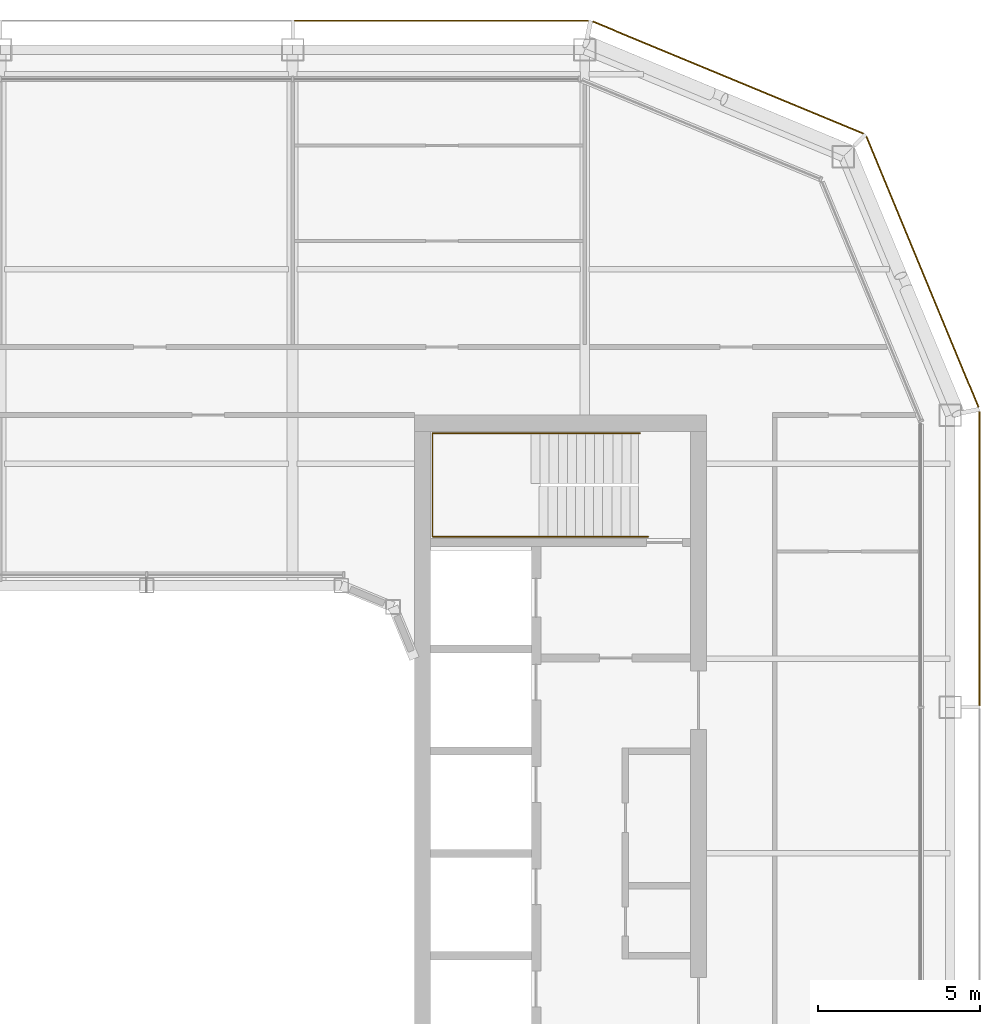
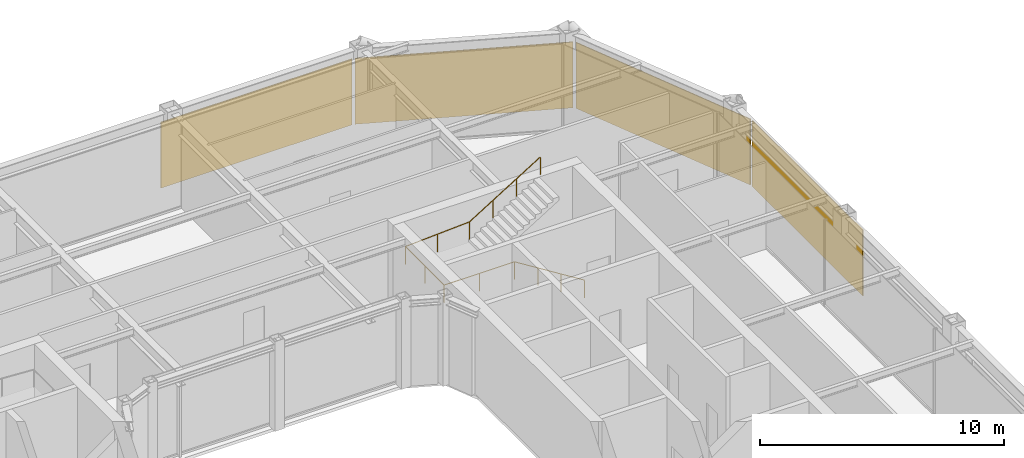
# One storey, part 20 of 21: 4 coverings, 1 railing.
"""IFC4 building model written with IfcOpenShell, lengths in metres."""

import ifcopenshell
import ifcopenshell.guid

model = None  # the IFC model being written
_history = None  # IfcOwnerHistory: only IFC2X3 demands one
_inside = {}  # id of a spatial element -> (the spatial element, [elements in it])
_under = {}  # id of a project, library or spatial element -> (it, [spatial elements below it])
_declared = {}  # id of a project -> (the project, [libraries it declares])
_typed = {}  # id of a type object -> (the type object, [elements of that type])
_made_of = {}  # id of a material, layer set ... -> (it, [elements and type objects made of it])


def new_model(schema):
    """Start an empty IFC model of exactly this schema.

    Asked for "IFC4X3", IfcOpenShell would pick the latest addendum, in which some entities
    have other attributes; the version numbers below select the first issue.
    IFC2X3 requires an IfcOwnerHistory on every rooted entity: one is made here for all.
    """
    global model, _history
    if schema == "IFC4X3":
        model = ifcopenshell.file(schema_version=(4, 3, 0, 0))
    else:
        model = ifcopenshell.file(schema=schema)
    _inside.clear()
    _under.clear()
    _declared.clear()
    _typed.clear()
    _made_of.clear()
    _history = None
    if model.schema == "IFC2X3":
        org = make("IfcOrganization", Name="unknown")
        user = make(
            "IfcPersonAndOrganization",
            ThePerson=make("IfcPerson", FamilyName="unknown"),
            TheOrganization=org,
        )
        app = make(
            "IfcApplication",
            ApplicationDeveloper=org,
            Version="unknown",
            ApplicationFullName="unknown",
            ApplicationIdentifier="unknown",
        )
        _history = make(
            "IfcOwnerHistory",
            OwningUser=user,
            OwningApplication=app,
            ChangeAction="ADDED",
            CreationDate=0,
        )
    return model


def make(cls, **values):
    """One entity of the class cls with the attributes given. An attribute that is None is left unset."""
    return model.create_entity(
        cls, **{name: value for name, value in values.items() if value is not None}
    )


def rooted(cls, **values):
    """An entity with a GlobalId (a new one), such as an element, a storey or a relation."""
    return make(cls, GlobalId=ifcopenshell.guid.new(), OwnerHistory=_history, **values)


def si_unit(unit_type, name, prefix=None):
    """IfcSIUnit, for example si_unit("LENGTHUNIT", "METRE", prefix="MILLI")."""
    return make("IfcSIUnit", UnitType=unit_type, Prefix=prefix, Name=name)


def assignment(units):
    """IfcUnitAssignment: the units of a project."""
    return None if units is None else make("IfcUnitAssignment", Units=units)


def point(xyz):
    """IfcCartesianPoint."""
    return None if xyz is None else make("IfcCartesianPoint", Coordinates=xyz)


def direction(xyz):
    """IfcDirection."""
    return None if xyz is None else make("IfcDirection", DirectionRatios=xyz)


def frame(location, z_axis=None, x_axis=None):
    """IfcAxis2Placement3D, a coordinate frame: its origin and axes. An axis left out is left unset."""
    return make(
        "IfcAxis2Placement3D",
        Location=point(location),
        Axis=direction(z_axis),
        RefDirection=direction(x_axis),
    )


def frame_2d(location, x_axis=None):
    """IfcAxis2Placement2D, a coordinate frame in the plane: its origin and x axis."""
    return make(
        "IfcAxis2Placement2D", Location=point(location), RefDirection=direction(x_axis)
    )


def origin():
    """The frame at (0, 0, 0) with its axes left unset."""
    return frame((0.0, 0.0, 0.0))


def origin_2d():
    """The frame at (0, 0) in the plane with its x axis left unset."""
    return frame_2d((0.0, 0.0))


def place(relative_to, where):
    """IfcLocalPlacement: puts the frame where relative to a parent placement (None: the world)."""
    return make(
        "IfcLocalPlacement", PlacementRelTo=relative_to, RelativePlacement=where
    )


def context(
    kind, dimensions, precision=None, world=None, true_north=None, identifier=None
):
    """IfcGeometricRepresentationContext, for example the 3D "Model" context."""
    return make(
        "IfcGeometricRepresentationContext",
        ContextIdentifier=identifier,
        ContextType=kind,
        CoordinateSpaceDimension=dimensions,
        Precision=precision,
        WorldCoordinateSystem=world,
        TrueNorth=true_north,
    )


def subcontext(parent, identifier, kind, view, scale=None):
    """IfcGeometricRepresentationSubContext, for example "Body" below "Model"."""
    return make(
        "IfcGeometricRepresentationSubContext",
        ContextIdentifier=identifier,
        ContextType=kind,
        ParentContext=parent,
        TargetScale=scale,
        TargetView=view,
    )


def project(units=None, contexts=None):
    """IfcProject with its units and contexts."""
    return rooted(
        "IfcProject",
        Name="project",
        RepresentationContexts=contexts,
        UnitsInContext=assignment(units),
    )


def spatial(cls, under=None, at=None, **own):
    """A site, building, storey or space (cls), placed at a placement, below another one or the project."""
    s = rooted(cls, ObjectPlacement=at, **own)
    if under is not None:
        _under.setdefault(under.id(), (under, []))[1].append(s)
    return s


def profile(cls, at=None, kind="AREA", **sizes):
    """A parametric profile (cls). Its sizes go by their IFC names, for example OverallWidth=200.0."""
    return make(cls, ProfileType=kind, Position=at, **sizes)


def rectangle(**sizes):
    """IfcRectangleProfileDef."""
    return profile("IfcRectangleProfileDef", **sizes)


def circle(**sizes):
    """IfcCircleProfileDef."""
    return profile("IfcCircleProfileDef", **sizes)


def extrude(swept, where, along, depth):
    """IfcExtrudedAreaSolid: the profile swept, set in the frame where, extruded along a direction by depth."""
    return make(
        "IfcExtrudedAreaSolid",
        SweptArea=swept,
        Position=where,
        ExtrudedDirection=direction(along),
        Depth=depth,
    )


def shape(context_of_items, identifier, shape_type, items):
    """IfcShapeRepresentation: the items that make up one representation, for example the "Body"."""
    return make(
        "IfcShapeRepresentation",
        ContextOfItems=context_of_items,
        RepresentationIdentifier=identifier,
        RepresentationType=shape_type,
        Items=items,
    )


def material(Name=None, Category=None):
    """IfcMaterial."""
    return make("IfcMaterial", Name=Name, Category=Category)


def layer(
    of_material, thickness, ventilated=None, Name=None, Category=None, Priority=None
):
    """IfcMaterialLayer: one layer of a wall or slab, of a material (None: an air gap)."""
    return make(
        "IfcMaterialLayer",
        Material=of_material,
        LayerThickness=thickness,
        IsVentilated=ventilated,
        Name=Name,
        Category=Category,
        Priority=Priority,
    )


def layer_set(layers, Name=None):
    """IfcMaterialLayerSet."""
    return make("IfcMaterialLayerSet", MaterialLayers=layers, LayerSetName=Name)


def made_of(thing, what):
    """Note that an element or type object is made of a material, layer set ...; save() writes the relation."""
    if what is not None:
        _made_of.setdefault(what.id(), (what, []))[1].append(thing)
    return thing


def type_object(cls, material=None, **own):
    """A type object (cls), such as IfcWallType, which elements share."""
    return made_of(rooted(cls, **own), material)


def element(
    cls,
    number,
    at=None,
    inside=None,
    cuts=None,
    type_object=None,
    material=None,
    context=None,
    identifier="Body",
    shape_type=None,
    held_by="IfcProductDefinitionShape",
    body=None,
    shapes=None,
    **own,
):
    """One element of the class cls, such as IfcWall. Its Tag is "e" and its number.

    at: its placement. inside: the storey or other place that contains it. cuts: it is an
    opening in that element (IfcRelVoidsElement). A single representation is given by context,
    identifier, shape_type and body (its items); several are given by shapes. held_by: the class
    of the entity that holds the representations. save() writes the other relations.
    """
    e = rooted(cls, Tag="e%d" % number, ObjectPlacement=at, **own)
    if body is not None:
        shapes = [shape(context, identifier, shape_type, body)]
    if shapes is not None:
        e.Representation = make(held_by, Representations=shapes)
    if inside is not None:
        _inside.setdefault(inside.id(), (inside, []))[1].append(e)
    if cuts is not None:
        rooted(
            "IfcRelVoidsElement", RelatingBuildingElement=cuts, RelatedOpeningElement=e
        )
    if type_object is not None:
        _typed.setdefault(type_object.id(), (type_object, []))[1].append(e)
    return made_of(e, material)


def aggregate(whole, parts):
    """IfcRelAggregates: a whole, such as a stair, and the parts it consists of."""
    return rooted("IfcRelAggregates", RelatingObject=whole, RelatedObjects=parts)


def save(model, path):
    """Write the relations noted so far, then the file.

    IfcRelAggregates (storeys below a building ...), IfcRelContainedInSpatialStructure (elements
    in a storey), IfcRelDefinesByType, IfcRelAssociatesMaterial and IfcRelDeclares: one each for
    every whole, place, type object, material and project.
    """
    for whole, parts in _under.values():
        aggregate(whole, parts)
    for where, things in _inside.values():
        rooted(
            "IfcRelContainedInSpatialStructure",
            RelatedElements=things,
            RelatingStructure=where,
        )
    for kind, things in _typed.values():
        rooted("IfcRelDefinesByType", RelatedObjects=things, RelatingType=kind)
    for what, things in _made_of.values():
        rooted("IfcRelAssociatesMaterial", RelatedObjects=things, RelatingMaterial=what)
    for by, libraries in _declared.values():
        rooted("IfcRelDeclares", RelatingContext=by, RelatedDefinitions=libraries)
    model.write(path)


model = new_model("IFC4")

# Units and contexts
model_context = context("Model", 3, precision=1e-05, world=origin(), true_north=direction((0.0, 1.0)))
body_context = subcontext(model_context, "Body", "Model", "MODEL_VIEW")
ifc_project = project(units=[si_unit("LENGTHUNIT", "METRE"), si_unit("AREAUNIT", "SQUARE_METRE"), si_unit("VOLUMEUNIT", "CUBIC_METRE"), si_unit("PLANEANGLEUNIT", "RADIAN"), si_unit("MASSUNIT", "GRAM", prefix="KILO")], contexts=[model_context])

# Site, building, storey
site_placement = place(None, origin())
site = spatial("IfcSite", under=ifc_project, at=site_placement, CompositionType="ELEMENT")
building_placement = place(site_placement, origin())
building = spatial("IfcBuilding", under=site, at=building_placement, Name="Siwar Civic Tower", CompositionType="ELEMENT")
storey_placement = place(building_placement, frame((0.0, 0.0, 334.699951171875)))
storey = spatial("IfcBuildingStorey", under=building, at=storey_placement, Name="L72", CompositionType="ELEMENT", Elevation=334.699951171875)

# Railing
ifc_material_1 = material(Name="Stainless steel", Category="steel")
railing_type = type_object("IfcRailingType", Name="CORE-STAIR-HANDRAIL", PredefinedType="HANDRAIL", material=ifc_material_1)
railing_placement = place(storey_placement, frame((15.449951171875, 9.758056640625, 0.173095703125)))
element("IfcRailing", 1, at=railing_placement, inside=storey, type_object=railing_type, Name="Stair handrail ST3", PredefinedType="HANDRAIL", context=body_context, shape_type="SweptSolid", body=[
    extrude(circle(Radius=0.02001953125, at=origin_2d()), frame((0.0, 0.0, 0.8798828125), z_axis=(-0.847063342986, 0.0, 0.531491950051), x_axis=(0.0, -1.0, 0.0)), (0.0, 0.0, 1.0), 3.90771484375),
    extrude(circle(Radius=0.02001953125, at=origin_2d()), frame((-3.31005859375, 0.0, 2.956787109375), z_axis=(-1.0, 0.0, 0.0), x_axis=(0.0, -1.0, 0.0)), (0.0, 0.0, 1.0), 3.331787109375),
    extrude(circle(Radius=0.02001953125, at=origin_2d()), frame((-6.641845703125, 0.0, 2.956787109375), z_axis=(0.0, 1.0, 0.0), x_axis=(-1.0, 0.0, 0.0)), (0.0, 0.0, 1.0), 3.183837890625),
    extrude(circle(Radius=0.02001953125, at=origin_2d()), frame((-6.641845703125, 3.183837890625, 2.956787109375), z_axis=(0.99837434197, 0.0, 0.056997134106), x_axis=(0.0, 1.0, 0.0)), (0.0, 0.0, 1.0), 3.036865234375),
    extrude(circle(Radius=0.02001953125, at=origin_2d()), frame((-3.60986328125, 3.183837890625, 3.1298828125), z_axis=(0.850606129759, 0.0, 0.525803396734), x_axis=(0.0, 1.0, 0.0)), (0.0, 0.0, 1.0), 3.949951171875),
    extrude(circle(Radius=0.02001953125, at=origin_2d()), origin(), (0.0, 0.0, 1.0), 0.85986328125),
    extrude(circle(Radius=0.02001953125, at=origin_2d()), frame((-1.103271484375, 0.0, 0.6923828125)), (0.0, 0.0, 1.0), 0.85986328125),
    extrude(circle(Radius=0.02001953125, at=origin_2d()), frame((-2.206787109375, 0.0, 1.384521484375)), (0.0, 0.0, 1.0), 0.85986328125),
    extrude(circle(Radius=0.02001953125, at=origin_2d()), frame((-3.31005859375, 0.0, 2.076904296875)), (0.0, 0.0, 1.0), 0.85986328125),
    extrude(circle(Radius=0.02001953125, at=origin_2d()), frame((-4.97607421875, 0.0, 2.076904296875)), (0.0, 0.0, 1.0), 0.85986328125),
    extrude(circle(Radius=0.02001953125, at=origin_2d()), frame((-6.641845703125, 0.0, 2.076904296875)), (0.0, 0.0, 1.0), 0.85986328125),
    extrude(circle(Radius=0.02001953125, at=origin_2d()), frame((-6.641845703125, 1.591796875, 2.076904296875)), (0.0, 0.0, 1.0), 0.85986328125),
    extrude(circle(Radius=0.02001953125, at=origin_2d()), frame((-6.641845703125, 3.183837890625, 2.076904296875)), (0.0, 0.0, 1.0), 0.85986328125),
    extrude(circle(Radius=0.02001953125, at=origin_2d()), frame((-5.1259765625, 3.183837890625, 2.16357421875)), (0.0, 0.0, 1.0), 0.85986328125),
    extrude(circle(Radius=0.02001953125, at=origin_2d()), frame((-3.60986328125, 3.183837890625, 2.25)), (0.0, 0.0, 1.0), 0.85986328125),
    extrude(circle(Radius=0.02001953125, at=origin_2d()), frame((-2.489990234375, 3.183837890625, 2.9423828125)), (0.0, 0.0, 1.0), 0.85986328125),
    extrude(circle(Radius=0.02001953125, at=origin_2d()), frame((-1.369873046875, 3.183837890625, 3.634521484375)), (0.0, 0.0, 1.0), 0.85986328125),
    extrude(circle(Radius=0.02001953125, at=origin_2d()), frame((-0.25, 3.183837890625, 4.326904296875)), (0.0, 0.0, 1.0), 0.85986328125),
])

# Coverings
ifc_material_2 = material(Name="Perforated aluminium cassette, pale metal", Category="aluminium")
ifc_layer = layer(ifc_material_2, 0.0400390625)
ifc_layer_set = layer_set([ifc_layer], Name="Perforated aluminium cassette, pale metal")
covering_type = type_object("IfcCoveringType", Name="ENV-OUTER SKIN OS-1", PredefinedType="CLADDING", material=ifc_layer_set)
covering_1_placement = place(storey_placement, frame((25.64990234375, 9.07958984375, -0.14990234375), z_axis=(0.0, 0.0, 1.0), x_axis=(0.0, 1.0, 0.0)))
element("IfcCovering", 2, at=covering_1_placement, inside=storey, type_object=covering_type, Name="OUTER SKIN OS-1 E 3", PredefinedType="CLADDING", context=body_context, shape_type="SweptSolid", body=[
    extrude(rectangle(XDim=9.05908203125, YDim=0.0400390625, at=origin_2d()), origin(), (0.0, 0.0, 1.0), 3.300048828125),
])
for number, where, z_axis, x_axis, name in (
    (3, (23.89697265625, 17.911376953125, -0.14990234375), (0.0, 0.0, 1.0), (-0.382683432365, 0.923879532511, 0.0), "OUTER SKIN OS-1 NE1 1"),
    (4, (17.911376953125, 23.89697265625, -0.14990234375), (0.0, 0.0, 1.0), (-0.923879532511, 0.382683432365, 0.0), "OUTER SKIN OS-1 NE2 1"),
):
    element("IfcCovering", number, at=place(storey_placement, frame(where, z_axis=z_axis, x_axis=x_axis)), inside=storey, type_object=covering_type, Name=name, PredefinedType="CLADDING", context=body_context, shape_type="SweptSolid", body=[
        extrude(rectangle(XDim=9.022216796875, YDim=0.0400390625, at=origin_2d()), origin(), (0.0, 0.0, 1.0), 3.300048828125),
    ])
covering_2_placement = place(storey_placement, frame((9.07958984375, 25.64990234375, -0.14990234375), z_axis=(0.0, 0.0, 1.0), x_axis=(-1.0, 0.0, 0.0)))
element("IfcCovering", 5, at=covering_2_placement, inside=storey, type_object=covering_type, Name="OUTER SKIN OS-1 N 1", PredefinedType="CLADDING", context=body_context, shape_type="SweptSolid", body=[
    extrude(rectangle(XDim=9.05908203125, YDim=0.0400390625, at=origin_2d()), origin(), (0.0, 0.0, 1.0), 3.300048828125),
])

save(model, "model.ifc")
